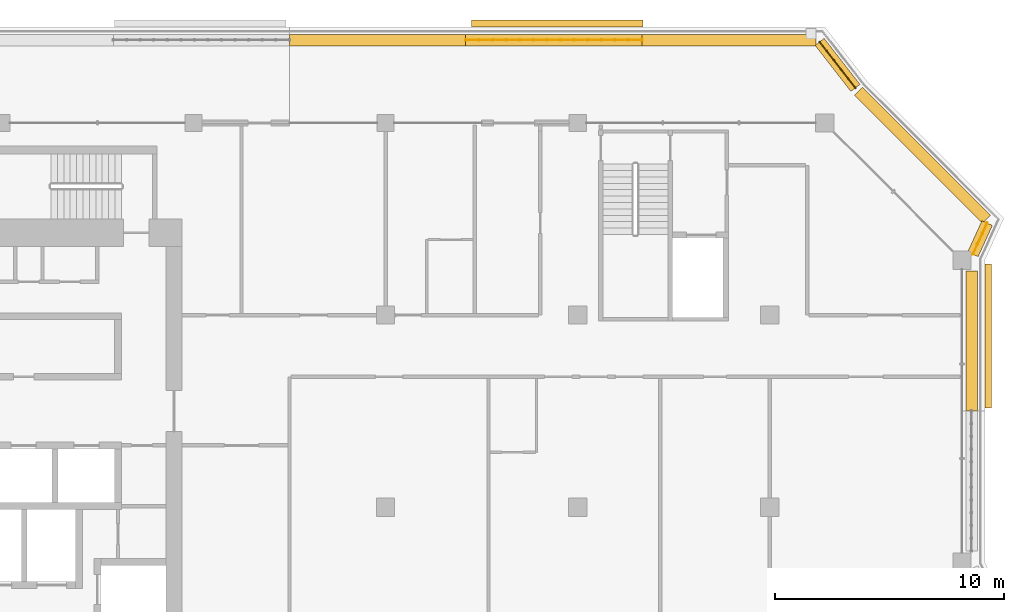
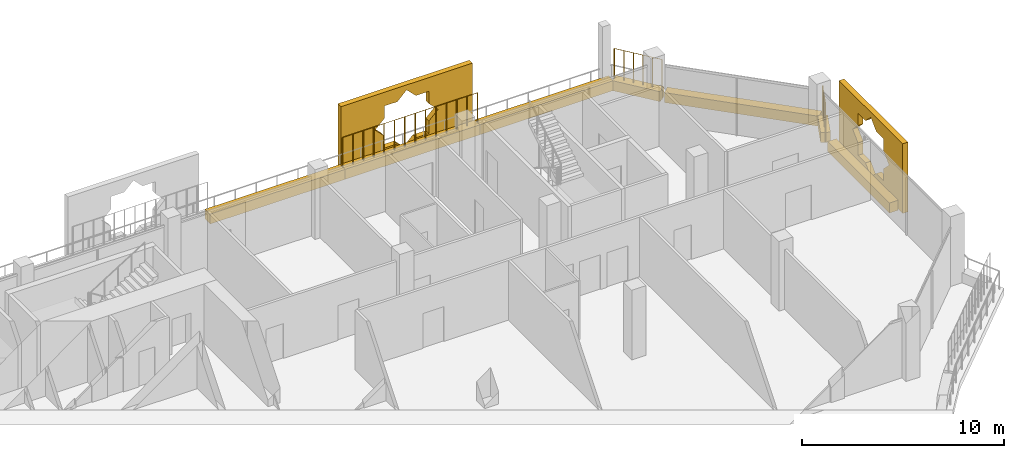
# One storey, part 21 of 21: 9 coverings, 3 railings.
"""IFC4 building model written with IfcOpenShell, lengths in metres."""

import ifcopenshell
import ifcopenshell.guid

model = None  # the IFC model being written
_history = None  # IfcOwnerHistory: only IFC2X3 demands one
_inside = {}  # id of a spatial element -> (the spatial element, [elements in it])
_under = {}  # id of a project, library or spatial element -> (it, [spatial elements below it])
_declared = {}  # id of a project -> (the project, [libraries it declares])
_typed = {}  # id of a type object -> (the type object, [elements of that type])
_made_of = {}  # id of a material, layer set ... -> (it, [elements and type objects made of it])


def new_model(schema):
    """Start an empty IFC model of exactly this schema.

    Asked for "IFC4X3", IfcOpenShell would pick the latest addendum, in which some entities
    have other attributes; the version numbers below select the first issue.
    IFC2X3 requires an IfcOwnerHistory on every rooted entity: one is made here for all.
    """
    global model, _history
    if schema == "IFC4X3":
        model = ifcopenshell.file(schema_version=(4, 3, 0, 0))
    else:
        model = ifcopenshell.file(schema=schema)
    _inside.clear()
    _under.clear()
    _declared.clear()
    _typed.clear()
    _made_of.clear()
    _history = None
    if model.schema == "IFC2X3":
        org = make("IfcOrganization", Name="unknown")
        user = make(
            "IfcPersonAndOrganization",
            ThePerson=make("IfcPerson", FamilyName="unknown"),
            TheOrganization=org,
        )
        app = make(
            "IfcApplication",
            ApplicationDeveloper=org,
            Version="unknown",
            ApplicationFullName="unknown",
            ApplicationIdentifier="unknown",
        )
        _history = make(
            "IfcOwnerHistory",
            OwningUser=user,
            OwningApplication=app,
            ChangeAction="ADDED",
            CreationDate=0,
        )
    return model


def make(cls, **values):
    """One entity of the class cls with the attributes given. An attribute that is None is left unset."""
    return model.create_entity(
        cls, **{name: value for name, value in values.items() if value is not None}
    )


def rooted(cls, **values):
    """An entity with a GlobalId (a new one), such as an element, a storey or a relation."""
    return make(cls, GlobalId=ifcopenshell.guid.new(), OwnerHistory=_history, **values)


def si_unit(unit_type, name, prefix=None):
    """IfcSIUnit, for example si_unit("LENGTHUNIT", "METRE", prefix="MILLI")."""
    return make("IfcSIUnit", UnitType=unit_type, Prefix=prefix, Name=name)


def assignment(units):
    """IfcUnitAssignment: the units of a project."""
    return None if units is None else make("IfcUnitAssignment", Units=units)


def point(xyz):
    """IfcCartesianPoint."""
    return None if xyz is None else make("IfcCartesianPoint", Coordinates=xyz)


def direction(xyz):
    """IfcDirection."""
    return None if xyz is None else make("IfcDirection", DirectionRatios=xyz)


def frame(location, z_axis=None, x_axis=None):
    """IfcAxis2Placement3D, a coordinate frame: its origin and axes. An axis left out is left unset."""
    return make(
        "IfcAxis2Placement3D",
        Location=point(location),
        Axis=direction(z_axis),
        RefDirection=direction(x_axis),
    )


def frame_2d(location, x_axis=None):
    """IfcAxis2Placement2D, a coordinate frame in the plane: its origin and x axis."""
    return make(
        "IfcAxis2Placement2D", Location=point(location), RefDirection=direction(x_axis)
    )


def origin():
    """The frame at (0, 0, 0) with its axes left unset."""
    return frame((0.0, 0.0, 0.0))


def origin_2d():
    """The frame at (0, 0) in the plane with its x axis left unset."""
    return frame_2d((0.0, 0.0))


def place(relative_to, where):
    """IfcLocalPlacement: puts the frame where relative to a parent placement (None: the world)."""
    return make(
        "IfcLocalPlacement", PlacementRelTo=relative_to, RelativePlacement=where
    )


def context(
    kind, dimensions, precision=None, world=None, true_north=None, identifier=None
):
    """IfcGeometricRepresentationContext, for example the 3D "Model" context."""
    return make(
        "IfcGeometricRepresentationContext",
        ContextIdentifier=identifier,
        ContextType=kind,
        CoordinateSpaceDimension=dimensions,
        Precision=precision,
        WorldCoordinateSystem=world,
        TrueNorth=true_north,
    )


def subcontext(parent, identifier, kind, view, scale=None):
    """IfcGeometricRepresentationSubContext, for example "Body" below "Model"."""
    return make(
        "IfcGeometricRepresentationSubContext",
        ContextIdentifier=identifier,
        ContextType=kind,
        ParentContext=parent,
        TargetScale=scale,
        TargetView=view,
    )


def project(units=None, contexts=None):
    """IfcProject with its units and contexts."""
    return rooted(
        "IfcProject",
        Name="project",
        RepresentationContexts=contexts,
        UnitsInContext=assignment(units),
    )


def spatial(cls, under=None, at=None, **own):
    """A site, building, storey or space (cls), placed at a placement, below another one or the project."""
    s = rooted(cls, ObjectPlacement=at, **own)
    if under is not None:
        _under.setdefault(under.id(), (under, []))[1].append(s)
    return s


def polyline(points):
    """IfcPolyline through the points."""
    return make("IfcPolyline", Points=[point(p) for p in points])


def profile(cls, at=None, kind="AREA", **sizes):
    """A parametric profile (cls). Its sizes go by their IFC names, for example OverallWidth=200.0."""
    return make(cls, ProfileType=kind, Position=at, **sizes)


def rectangle(**sizes):
    """IfcRectangleProfileDef."""
    return profile("IfcRectangleProfileDef", **sizes)


def circle(**sizes):
    """IfcCircleProfileDef."""
    return profile("IfcCircleProfileDef", **sizes)


def outline(outer, holes=None, kind="AREA"):
    """IfcArbitraryClosedProfileDef: a profile drawn as a closed curve; with holes, ...WithVoids."""
    if holes is None:
        return make("IfcArbitraryClosedProfileDef", ProfileType=kind, OuterCurve=outer)
    return make(
        "IfcArbitraryProfileDefWithVoids",
        ProfileType=kind,
        OuterCurve=outer,
        InnerCurves=holes,
    )


def extrude(swept, where, along, depth):
    """IfcExtrudedAreaSolid: the profile swept, set in the frame where, extruded along a direction by depth."""
    return make(
        "IfcExtrudedAreaSolid",
        SweptArea=swept,
        Position=where,
        ExtrudedDirection=direction(along),
        Depth=depth,
    )


def shape(context_of_items, identifier, shape_type, items):
    """IfcShapeRepresentation: the items that make up one representation, for example the "Body"."""
    return make(
        "IfcShapeRepresentation",
        ContextOfItems=context_of_items,
        RepresentationIdentifier=identifier,
        RepresentationType=shape_type,
        Items=items,
    )


def material(Name=None, Category=None):
    """IfcMaterial."""
    return make("IfcMaterial", Name=Name, Category=Category)


def material_profile(
    of_material, cross_section, Name=None, Category=None, Priority=None
):
    """IfcMaterialProfile: a cross section and its material."""
    return make(
        "IfcMaterialProfile",
        Name=Name,
        Material=of_material,
        Profile=cross_section,
        Priority=Priority,
        Category=Category,
    )


def profile_set(profiles, Name=None, composite=None):
    """IfcMaterialProfileSet."""
    return make(
        "IfcMaterialProfileSet",
        Name=Name,
        MaterialProfiles=profiles,
        CompositeProfile=composite,
    )


def made_of(thing, what):
    """Note that an element or type object is made of a material, layer set ...; save() writes the relation."""
    if what is not None:
        _made_of.setdefault(what.id(), (what, []))[1].append(thing)
    return thing


def type_object(cls, material=None, **own):
    """A type object (cls), such as IfcWallType, which elements share."""
    return made_of(rooted(cls, **own), material)


def element(
    cls,
    number,
    at=None,
    inside=None,
    cuts=None,
    type_object=None,
    material=None,
    context=None,
    identifier="Body",
    shape_type=None,
    held_by="IfcProductDefinitionShape",
    body=None,
    shapes=None,
    **own,
):
    """One element of the class cls, such as IfcWall. Its Tag is "e" and its number.

    at: its placement. inside: the storey or other place that contains it. cuts: it is an
    opening in that element (IfcRelVoidsElement). A single representation is given by context,
    identifier, shape_type and body (its items); several are given by shapes. held_by: the class
    of the entity that holds the representations. save() writes the other relations.
    """
    e = rooted(cls, Tag="e%d" % number, ObjectPlacement=at, **own)
    if body is not None:
        shapes = [shape(context, identifier, shape_type, body)]
    if shapes is not None:
        e.Representation = make(held_by, Representations=shapes)
    if inside is not None:
        _inside.setdefault(inside.id(), (inside, []))[1].append(e)
    if cuts is not None:
        rooted(
            "IfcRelVoidsElement", RelatingBuildingElement=cuts, RelatedOpeningElement=e
        )
    if type_object is not None:
        _typed.setdefault(type_object.id(), (type_object, []))[1].append(e)
    return made_of(e, material)


def aggregate(whole, parts):
    """IfcRelAggregates: a whole, such as a stair, and the parts it consists of."""
    return rooted("IfcRelAggregates", RelatingObject=whole, RelatedObjects=parts)


def save(model, path):
    """Write the relations noted so far, then the file.

    IfcRelAggregates (storeys below a building ...), IfcRelContainedInSpatialStructure (elements
    in a storey), IfcRelDefinesByType, IfcRelAssociatesMaterial and IfcRelDeclares: one each for
    every whole, place, type object, material and project.
    """
    for whole, parts in _under.values():
        aggregate(whole, parts)
    for where, things in _inside.values():
        rooted(
            "IfcRelContainedInSpatialStructure",
            RelatedElements=things,
            RelatingStructure=where,
        )
    for kind, things in _typed.values():
        rooted("IfcRelDefinesByType", RelatedObjects=things, RelatingType=kind)
    for what, things in _made_of.values():
        rooted("IfcRelAssociatesMaterial", RelatedObjects=things, RelatingMaterial=what)
    for by, libraries in _declared.values():
        rooted("IfcRelDeclares", RelatingContext=by, RelatedDefinitions=libraries)
    model.write(path)


model = new_model("IFC4")

# Units and contexts
model_context = context("Model", 3, precision=1e-05, world=origin(), true_north=direction((0.0, 1.0)))
body_context = subcontext(model_context, "Body", "Model", "MODEL_VIEW")
ifc_project = project(units=[si_unit("LENGTHUNIT", "METRE"), si_unit("AREAUNIT", "SQUARE_METRE"), si_unit("VOLUMEUNIT", "CUBIC_METRE"), si_unit("PLANEANGLEUNIT", "RADIAN"), si_unit("MASSUNIT", "GRAM", prefix="KILO")], contexts=[model_context])

# Site, building, storey
site_placement = place(None, origin())
site = spatial("IfcSite", under=ifc_project, at=site_placement, CompositionType="ELEMENT")
building_placement = place(site_placement, origin())
building = spatial("IfcBuilding", under=site, at=building_placement, Name="Kawkab Arch Medical Tower", CompositionType="ELEMENT")
storey_placement = place(building_placement, frame((0.0, 0.0, 302.800048828125)))
storey = spatial("IfcBuildingStorey", under=building, at=storey_placement, Name="L70", CompositionType="ELEMENT", Elevation=302.800048828125)

# Coverings
ifc_material_1 = material(Name="Bronze anodised aluminium mashrabiya panel, eight-point star pattern", Category="aluminium")
ifc_material_profile_1 = material_profile(ifc_material_1, outline(polyline([(-3.14990234375, -2.10009765625), (3.14990234375, -2.10009765625), (3.14990234375, 2.10009765625), (-3.14990234375, 2.10009765625), (-3.14990234375, -2.10009765625)]), holes=[polyline([(1.800048828125, 0.0), (1.272705078125, 0.527099609375), (1.272705078125, 1.272705078125), (0.527099609375, 1.272705078125), (0.0, 1.800048828125), (-0.527099609375, 1.272705078125), (-1.272705078125, 1.272705078125), (-1.272705078125, 0.527099609375), (-1.800048828125, 0.0), (-1.272705078125, -0.527099609375), (-1.272705078125, -1.272705078125), (-0.527099609375, -1.272705078125), (0.0, -1.800048828125), (0.527099609375, -1.272705078125), (1.272705078125, -1.272705078125), (1.272705078125, -0.527099609375), (1.800048828125, 0.0)])]), Name="Mashrabiya panel 6300x4200")
ifc_profile_set_1 = profile_set([ifc_material_profile_1], Name="Bronze anodised aluminium mashrabiya panel, eight-point star pattern")
covering_type_1 = type_object("IfcCoveringType", Name="Mashrabiya panel 6300 x 4200", PredefinedType="USERDEFINED", material=ifc_profile_set_1)
covering_1_placement = place(storey_placement, frame((59.800048828125, -9.31884765625, 1.699951171875), z_axis=(1.0, 0.0, 0.0), x_axis=(0.0, 1.0, 0.0)))
element("IfcCovering", 1, at=covering_1_placement, inside=storey, type_object=covering_type_1, Name="Mashrabiya panel L70.LOG-01-01.6", ObjectType="SCREEN", PredefinedType="USERDEFINED", context=body_context, shape_type="SweptSolid", body=[
    extrude(outline(polyline([(-3.14990234375, -2.10009765625), (3.14990234375, -2.10009765625), (3.14990234375, 2.10009765625), (-3.14990234375, 2.10009765625), (-3.14990234375, -2.10009765625)]), holes=[polyline([(1.800048828125, 0.0), (1.272705078125, 0.527099609375), (1.272705078125, 1.272705078125), (0.527099609375, 1.272705078125), (0.0, 1.800048828125), (-0.527099609375, 1.272705078125), (-1.272705078125, 1.272705078125), (-1.272705078125, 0.527099609375), (-1.800048828125, 0.0), (-1.272705078125, -0.527099609375), (-1.272705078125, -1.272705078125), (-0.527099609375, -1.272705078125), (0.0, -1.800048828125), (0.527099609375, -1.272705078125), (1.272705078125, -1.272705078125), (1.272705078125, -0.527099609375), (1.800048828125, 0.0)])]), origin(), (0.0, 0.0, 1.0), 0.300048828125),
])
ifc_material_2 = material(Name="Bronze anodised aluminium mashrabiya panel, eight-point star pattern", Category="aluminium")
ifc_material_profile_2 = material_profile(ifc_material_2, outline(polyline([(-3.75, -2.10009765625), (3.75, -2.10009765625), (3.75, 2.10009765625), (-3.75, 2.10009765625), (-3.75, -2.10009765625)]), holes=[polyline([(1.800048828125, 0.0), (1.272705078125, 0.527099609375), (1.272705078125, 1.272705078125), (0.527099609375, 1.272705078125), (0.0, 1.800048828125), (-0.527099609375, 1.272705078125), (-1.272705078125, 1.272705078125), (-1.272705078125, 0.527099609375), (-1.800048828125, 0.0), (-1.272705078125, -0.527099609375), (-1.272705078125, -1.272705078125), (-0.527099609375, -1.272705078125), (0.0, -1.800048828125), (0.527099609375, -1.272705078125), (1.272705078125, -1.272705078125), (1.272705078125, -0.527099609375), (1.800048828125, 0.0)])]), Name="Mashrabiya panel 7500x4200")
ifc_profile_set_2 = profile_set([ifc_material_profile_2], Name="Bronze anodised aluminium mashrabiya panel, eight-point star pattern")
covering_type_2 = type_object("IfcCoveringType", Name="Mashrabiya panel 7500 x 4200", PredefinedType="USERDEFINED", material=ifc_profile_set_2)
covering_2_placement = place(storey_placement, frame((41.09765625, 4.199951171875, 1.699951171875), z_axis=(0.0, 1.0, 0.0), x_axis=(-1.0, 0.0, 0.0)))
element("IfcCovering", 2, at=covering_2_placement, inside=storey, type_object=covering_type_2, Name="Mashrabiya panel L70.LOG-01-01.5", ObjectType="SCREEN", PredefinedType="USERDEFINED", context=body_context, shape_type="SweptSolid", body=[
    extrude(outline(polyline([(-3.75, -2.10009765625), (3.75, -2.10009765625), (3.75, 2.10009765625), (-3.75, 2.10009765625), (-3.75, -2.10009765625)]), holes=[polyline([(1.800048828125, 0.0), (1.272705078125, 0.527099609375), (1.272705078125, 1.272705078125), (0.527099609375, 1.272705078125), (0.0, 1.800048828125), (-0.527099609375, 1.272705078125), (-1.272705078125, 1.272705078125), (-1.272705078125, 0.527099609375), (-1.800048828125, 0.0), (-1.272705078125, -0.527099609375), (-1.272705078125, -1.272705078125), (-0.527099609375, -1.272705078125), (0.0, -1.800048828125), (0.527099609375, -1.272705078125), (1.272705078125, -1.272705078125), (1.272705078125, -0.527099609375), (1.800048828125, 0.0)])]), origin(), (0.0, 0.0, 1.0), 0.300048828125),
])
ifc_material_3 = material(Name="Planting soil in a precast trough", Category="concrete")
ifc_material_profile_3 = material_profile(ifc_material_3, rectangle(XDim=0.5, YDim=0.60009765625, at=origin_2d()), Name="Trough 500x600")
ifc_profile_set_3 = profile_set([ifc_material_profile_3], Name="Planting soil in a precast trough")
covering_type_3 = type_object("IfcCoveringType", Name="Planter trough 500 x 600", PredefinedType="USERDEFINED", material=ifc_profile_set_3)
covering_3_placement = place(storey_placement, frame((29.39990234375, 3.6201171875, 0.300048828125), z_axis=(1.0, 0.0, 0.0), x_axis=(0.0, 1.0, 0.0)))
element("IfcCovering", 3, at=covering_3_placement, inside=storey, type_object=covering_type_3, Name="Planter L70.LOG-01-01.16", ObjectType="PLANTER", PredefinedType="USERDEFINED", context=body_context, shape_type="SweptSolid", body=[
    extrude(rectangle(XDim=0.5, YDim=0.60009765625, at=origin_2d()), origin(), (0.0, 0.0, 1.0), 7.705078125),
])
covering_4_placement = place(storey_placement, frame((37.10498046875, 3.6201171875, 0.300048828125), z_axis=(1.0, 0.0, 0.0), x_axis=(0.0, 1.0, 0.0)))
element("IfcCovering", 4, at=covering_4_placement, inside=storey, type_object=covering_type_3, Name="Planter L70.LOG-01-01.17", ObjectType="PLANTER", PredefinedType="USERDEFINED", context=body_context, shape_type="SweptSolid", body=[
    extrude(rectangle(XDim=0.5, YDim=0.60009765625, at=origin_2d()), origin(), (0.0, 0.0, 1.0), 7.7060546875),
])
covering_5_placement = place(storey_placement, frame((44.81103515625, 3.6201171875, 0.300048828125), z_axis=(1.0, 0.0, 0.0), x_axis=(0.0, 1.0, 0.0)))
element("IfcCovering", 5, at=covering_5_placement, inside=storey, type_object=covering_type_3, Name="Planter L70.LOG-01-01.18", ObjectType="PLANTER", PredefinedType="USERDEFINED", context=body_context, shape_type="SweptSolid", body=[
    extrude(rectangle(XDim=0.5, YDim=0.60009765625, at=origin_2d()), origin(), (0.0, 0.0, 1.0), 7.60498046875),
])
covering_6_placement = place(storey_placement, frame((52.577880859375, 3.541015625, 0.300048828125), z_axis=(0.614099956103, -0.789228258436, 0.0), x_axis=(0.789228258436, 0.614099956103, 0.0)))
element("IfcCovering", 6, at=covering_6_placement, inside=storey, type_object=covering_type_3, Name="Planter L70.LOG-01-01.19", ObjectType="PLANTER", PredefinedType="USERDEFINED", context=body_context, shape_type="SweptSolid", body=[
    extrude(rectangle(XDim=0.5, YDim=0.60009765625, at=origin_2d()), origin(), (0.0, 0.0, 1.0), 2.545654296875),
])
covering_7_placement = place(storey_placement, frame((54.27294921875, 1.383056640625, 0.300048828125), z_axis=(0.707106781187, -0.707106781187, 0.0), x_axis=(0.707106781187, 0.707106781187, 0.0)))
element("IfcCovering", 7, at=covering_7_placement, inside=storey, type_object=covering_type_3, Name="Planter L70.LOG-01-01.20", ObjectType="PLANTER", PredefinedType="USERDEFINED", context=body_context, shape_type="SweptSolid", body=[
    extrude(rectangle(XDim=0.5, YDim=0.60009765625, at=origin_2d()), origin(), (0.0, 0.0, 1.0), 7.919677734375),
])
covering_8_placement = place(storey_placement, frame((59.902099609375, -4.37890625, 0.300048828125), z_axis=(-0.415189748133, -0.909734836667, 0.0), x_axis=(0.909734836667, -0.415189748133, 0.0)))
element("IfcCovering", 8, at=covering_8_placement, inside=storey, type_object=covering_type_3, Name="Planter L70.LOG-01-01.21", ObjectType="PLANTER", PredefinedType="USERDEFINED", context=body_context, shape_type="SweptSolid", body=[
    extrude(rectangle(XDim=0.5, YDim=0.60009765625, at=origin_2d()), origin(), (0.0, 0.0, 1.0), 1.498291015625),
])
covering_9_placement = place(storey_placement, frame((59.219970703125, -6.47998046875, 0.300048828125), z_axis=(0.0, -1.0, 0.0), x_axis=(1.0, 0.0, 0.0)))
element("IfcCovering", 9, at=covering_9_placement, inside=storey, type_object=covering_type_3, Name="Planter L70.LOG-01-01.22", ObjectType="PLANTER", PredefinedType="USERDEFINED", context=body_context, shape_type="SweptSolid", body=[
    extrude(rectangle(XDim=0.5, YDim=0.60009765625, at=origin_2d()), origin(), (0.0, 0.0, 1.0), 6.1201171875),
])

# Railings
ifc_material_4 = material(Name="Bronze anodised aluminium trellis for climbing plants", Category="aluminium")
railing_type = type_object("IfcRailingType", Name="Planting trellis 2400", PredefinedType="USERDEFINED", material=ifc_material_4)
railing_1_placement = place(storey_placement, frame((37.10498046875, 3.6201171875, 0.0)))
element("IfcRailing", 10, at=railing_1_placement, inside=storey, type_object=railing_type, Name="Planting trellis L70.LOG-01-01.17", ObjectType="TRELLIS", PredefinedType="USERDEFINED", context=body_context, shape_type="SweptSolid", body=[
    extrude(circle(Radius=0.01513671875, at=origin_2d()), frame((0.0, 0.0, 2.384765625), z_axis=(1.0, 0.0, 0.0), x_axis=(0.0, 1.0, 0.0)), (0.0, 0.0, 1.0), 7.7060546875),
    extrude(circle(Radius=0.030029296875, at=origin_2d()), origin(), (0.0, 0.0, 1.0), 2.369873046875),
    extrude(circle(Radius=0.030029296875, at=origin_2d()), frame((0.5927734375, 0.0, 0.0)), (0.0, 0.0, 1.0), 2.369873046875),
    extrude(circle(Radius=0.030029296875, at=origin_2d()), frame((1.185546875, 0.0, 0.0)), (0.0, 0.0, 1.0), 2.369873046875),
    extrude(circle(Radius=0.030029296875, at=origin_2d()), frame((1.7783203125, 0.0, 0.0)), (0.0, 0.0, 1.0), 2.369873046875),
    extrude(circle(Radius=0.030029296875, at=origin_2d()), frame((2.37109375, 0.0, 0.0)), (0.0, 0.0, 1.0), 2.369873046875),
    extrude(circle(Radius=0.030029296875, at=origin_2d()), frame((2.9638671875, 0.0, 0.0)), (0.0, 0.0, 1.0), 2.369873046875),
    extrude(circle(Radius=0.030029296875, at=origin_2d()), frame((3.556640625, 0.0, 0.0)), (0.0, 0.0, 1.0), 2.369873046875),
    extrude(circle(Radius=0.030029296875, at=origin_2d()), frame((4.1494140625, 0.0, 0.0)), (0.0, 0.0, 1.0), 2.369873046875),
    extrude(circle(Radius=0.030029296875, at=origin_2d()), frame((4.7421875, 0.0, 0.0)), (0.0, 0.0, 1.0), 2.369873046875),
    extrude(circle(Radius=0.030029296875, at=origin_2d()), frame((5.3349609375, 0.0, 0.0)), (0.0, 0.0, 1.0), 2.369873046875),
    extrude(circle(Radius=0.030029296875, at=origin_2d()), frame((5.927734375, 0.0, 0.0)), (0.0, 0.0, 1.0), 2.369873046875),
    extrude(circle(Radius=0.030029296875, at=origin_2d()), frame((6.5205078125, 0.0, 0.0)), (0.0, 0.0, 1.0), 2.369873046875),
    extrude(circle(Radius=0.030029296875, at=origin_2d()), frame((7.11328125, 0.0, 0.0)), (0.0, 0.0, 1.0), 2.369873046875),
    extrude(circle(Radius=0.030029296875, at=origin_2d()), frame((7.7060546875, 0.0, 0.0)), (0.0, 0.0, 1.0), 2.369873046875),
])
railing_2_placement = place(storey_placement, frame((52.577880859375, 3.541015625, 0.0)))
element("IfcRailing", 11, at=railing_2_placement, inside=storey, type_object=railing_type, Name="Planting trellis L70.LOG-01-01.19", ObjectType="TRELLIS", PredefinedType="USERDEFINED", context=body_context, shape_type="SweptSolid", body=[
    extrude(circle(Radius=0.01513671875, at=origin_2d()), frame((0.0, 0.0, 2.384765625), z_axis=(0.614099956103, -0.789228258436, 0.0), x_axis=(0.789228258436, 0.614099956103, 0.0)), (0.0, 0.0, 1.0), 2.545654296875),
    extrude(circle(Radius=0.030029296875, at=origin_2d()), origin(), (0.0, 0.0, 1.0), 2.369873046875),
    extrude(circle(Radius=0.030029296875, at=origin_2d()), frame((0.312744140625, -0.40185546875, 0.0)), (0.0, 0.0, 1.0), 2.369873046875),
    extrude(circle(Radius=0.030029296875, at=origin_2d()), frame((0.625244140625, -0.8037109375, 0.0)), (0.0, 0.0, 1.0), 2.369873046875),
    extrude(circle(Radius=0.030029296875, at=origin_2d()), frame((0.93798828125, -1.205322265625, 0.0)), (0.0, 0.0, 1.0), 2.369873046875),
    extrude(circle(Radius=0.030029296875, at=origin_2d()), frame((1.25048828125, -1.607177734375, 0.0)), (0.0, 0.0, 1.0), 2.369873046875),
    extrude(circle(Radius=0.030029296875, at=origin_2d()), frame((1.563232421875, -2.009033203125, 0.0)), (0.0, 0.0, 1.0), 2.369873046875),
])
railing_3_placement = place(storey_placement, frame((59.902099609375, -4.37890625, 0.0)))
element("IfcRailing", 12, at=railing_3_placement, inside=storey, type_object=railing_type, Name="Planting trellis L70.LOG-01-01.21", ObjectType="TRELLIS", PredefinedType="USERDEFINED", context=body_context, shape_type="SweptSolid", body=[
    extrude(circle(Radius=0.01513671875, at=origin_2d()), frame((0.0, 0.0, 2.384765625), z_axis=(-0.415189748133, -0.909734836667, 0.0), x_axis=(0.909734836667, -0.415189748133, 0.0)), (0.0, 0.0, 1.0), 1.498291015625),
    extrude(circle(Radius=0.030029296875, at=origin_2d()), origin(), (0.0, 0.0, 1.0), 2.369873046875),
    extrude(circle(Radius=0.030029296875, at=origin_2d()), frame((-0.207275390625, -0.454345703125, 0.0)), (0.0, 0.0, 1.0), 2.369873046875),
    extrude(circle(Radius=0.030029296875, at=origin_2d()), frame((-0.414794921875, -0.90869140625, 0.0)), (0.0, 0.0, 1.0), 2.369873046875),
    extrude(circle(Radius=0.030029296875, at=origin_2d()), frame((-0.6220703125, -1.363037109375, 0.0)), (0.0, 0.0, 1.0), 2.369873046875),
])

save(model, "model.ifc")
